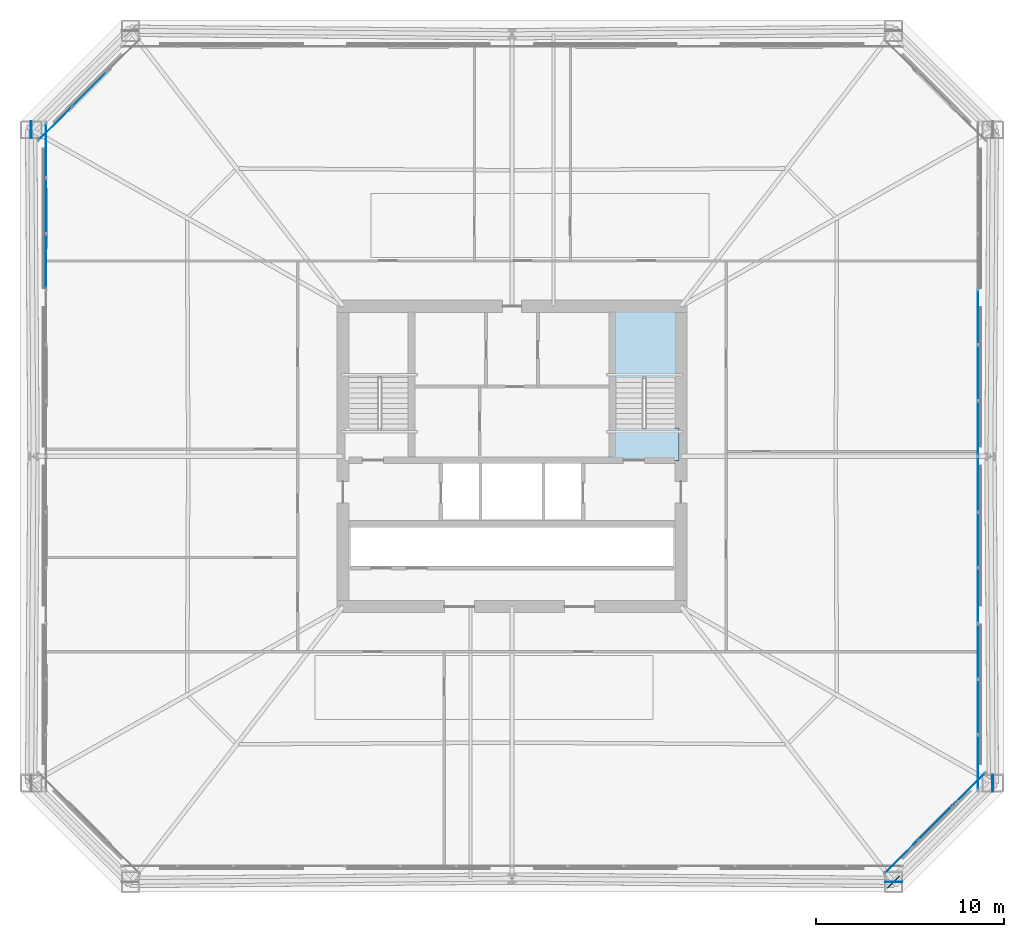
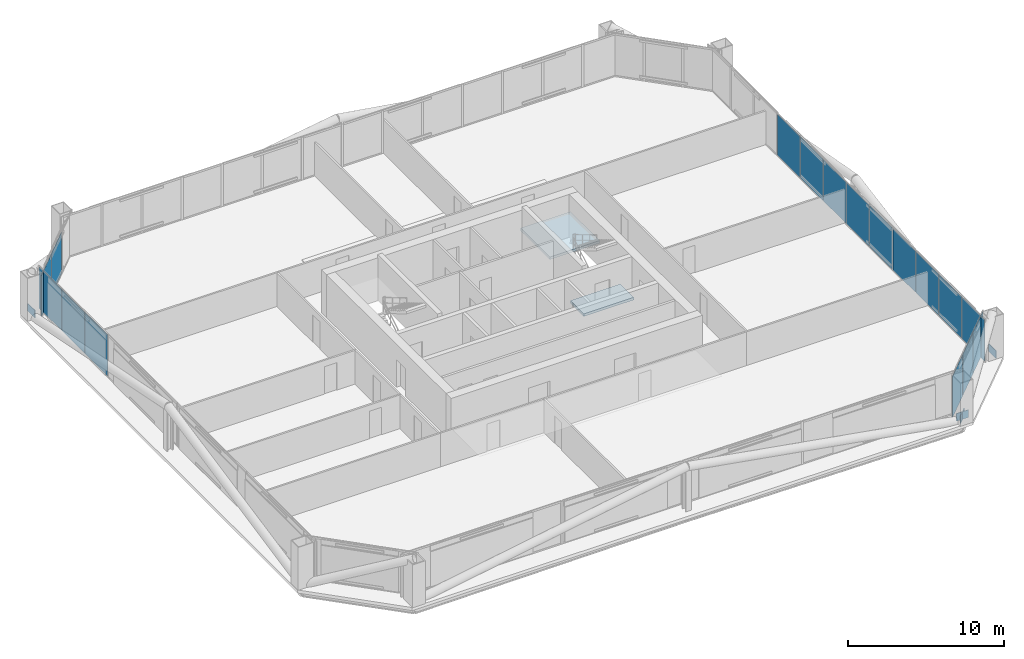
# One storey, part 44 of 50: 21 plates, 2 slabs, 5 elements without a shape of their own.
"""IFC4 building model written with IfcOpenShell, lengths in metres."""

from ifc_helpers import new_model, si_unit, direction, frame, origin, origin_2d, place, context, subcontext, project, spatial, polyline, rectangle, outline, extrude, material, layer, layer_set, type_object, element, aggregate, save


model = new_model("IFC4")

# Units and contexts
model_context = context("Model", 3, precision=1e-05, world=origin(), true_north=direction((0.0, 1.0)))
body_context = subcontext(model_context, "Body", "Model", "MODEL_VIEW")
ifc_project = project(units=[si_unit("LENGTHUNIT", "METRE"), si_unit("AREAUNIT", "SQUARE_METRE"), si_unit("VOLUMEUNIT", "CUBIC_METRE"), si_unit("PLANEANGLEUNIT", "RADIAN"), si_unit("MASSUNIT", "GRAM", prefix="KILO")], contexts=[model_context])

# Site, building, storey
site_placement = place(None, origin())
site = spatial("IfcSite", under=ifc_project, at=site_placement, CompositionType="ELEMENT")
building_placement = place(site_placement, origin())
building = spatial("IfcBuilding", under=site, at=building_placement, Name="Caelvoria Tower", CompositionType="ELEMENT")
storey_placement = place(building_placement, frame((0.0, 0.0, 71.199951171875)))
storey = spatial("IfcBuildingStorey", under=building, at=storey_placement, Name="L18", CompositionType="ELEMENT", Elevation=71.199951171875)

# Curtain wall, plates
ifc_material_1 = material(Name="Anodised Bronze Aluminium and Low-E Glass", Category="aluminium")
ifc_layer_1 = layer(ifc_material_1, 0.18505859375, Name="Anodised Bronze Aluminium and Low-E Glass")
ifc_layer_set_1 = layer_set([ifc_layer_1], Name="CW System 2 Lower Tower Bronze Unitised Facade - Anodised Bronze Aluminium and Low-E Glass")
curtain_wall_type = type_object("IfcCurtainWallType", Name="CW System 2 Lower Tower Bronze Unitised Facade", PredefinedType="NOTDEFINED", material=ifc_layer_set_1)
curtain_wall_1_placement = place(storey_placement, origin())
curtain_wall_1 = element("IfcCurtainWall", 1, at=curtain_wall_1_placement, inside=storey, type_object=curtain_wall_type, Name="CW-02 Curtain Wall L18-E1", PredefinedType="NOTDEFINED")
ifc_material_2 = material(Name="Anodised Bronze Insulated Aluminium Panel", Category="aluminium")
ifc_layer_2 = layer(ifc_material_2, 0.031982421875, Name="Anodised Bronze Insulated Aluminium Panel")
ifc_layer_set_2 = layer_set([ifc_layer_2], Name="Insulated Bronze Spandrel Curtain Panel 32 - Anodised Bronze Insulated Aluminium Panel")
plate_type_1 = type_object("IfcPlateType", Name="Insulated Bronze Spandrel Curtain Panel 32", PredefinedType="CURTAIN_PANEL", material=ifc_layer_set_2)
plate_1_placement = place(storey_placement, frame((66.735595703125, 10.687255859375, 0.06494140625), z_axis=(0.0, 0.0, 1.0), x_axis=(0.707106781187, 0.707106781187, 0.0)))
plate_1 = element("IfcPlate", 2, at=plate_1_placement, type_object=plate_type_1, Name="CW-02 panel 1.1", PredefinedType="CURTAIN_PANEL", context=body_context, shape_type="SweptSolid", body=[
    extrude(rectangle(XDim=2.447998046875, YDim=0.031982421875, at=origin_2d()), origin(), (0.0, 0.0, 1.0), 3.22998046875),
])
plate_2_placement = place(storey_placement, frame((68.524169921875, 12.475830078125, 0.06494140625), z_axis=(0.0, 0.0, 1.0), x_axis=(0.707106781187, 0.707106781187, 0.0)))
plate_2 = element("IfcPlate", 3, at=plate_2_placement, type_object=plate_type_1, Name="CW-02 panel 2.1", PredefinedType="CURTAIN_PANEL", context=body_context, shape_type="SweptSolid", body=[
    extrude(rectangle(XDim=2.48046875, YDim=0.031982421875, at=origin_2d()), origin(), (0.0, 0.0, 1.0), 3.22998046875),
])
plate_3_placement = place(storey_placement, frame((70.312744140625, 14.264404296875, 0.06494140625), z_axis=(0.0, 0.0, 1.0), x_axis=(0.707106781187, 0.707106781187, 0.0)))
plate_3 = element("IfcPlate", 4, at=plate_3_placement, type_object=plate_type_1, Name="CW-02 panel 3.1", PredefinedType="CURTAIN_PANEL", context=body_context, shape_type="SweptSolid", body=[
    extrude(rectangle(XDim=2.447998046875, YDim=0.031982421875, at=origin_2d()), origin(), (0.0, 0.0, 1.0), 3.22998046875),
])
aggregate(curtain_wall_1, [plate_1, plate_2, plate_3])

curtain_wall_2_placement = place(storey_placement, origin())
curtain_wall_2 = element("IfcCurtainWall", 5, at=curtain_wall_2_placement, inside=storey, type_object=curtain_wall_type, Name="CW-02 Curtain Wall L18-E2", PredefinedType="NOTDEFINED")
plate_4_placement = place(storey_placement, frame((70.820068359375, 15.699462890625, 0.06494140625), z_axis=(0.0, 0.0, 1.0), x_axis=(0.0, 1.0, 0.0)))
plate_4 = element("IfcPlate", 6, at=plate_4_placement, type_object=plate_type_1, Name="CW-02 panel 1.1", PredefinedType="CURTAIN_PANEL", context=body_context, shape_type="SweptSolid", body=[
    extrude(rectangle(XDim=2.869140625, YDim=0.031982421875, at=origin_2d()), origin(), (0.0, 0.0, 1.0), 3.22998046875),
])
plate_5_placement = place(storey_placement, frame((70.820068359375, 18.64990234375, 0.06494140625), z_axis=(0.0, 0.0, 1.0), x_axis=(0.0, 1.0, 0.0)))
plate_5 = element("IfcPlate", 7, at=plate_5_placement, type_object=plate_type_1, Name="CW-02 panel 2.1", PredefinedType="CURTAIN_PANEL", context=body_context, shape_type="SweptSolid", body=[
    extrude(rectangle(XDim=2.901611328125, YDim=0.031982421875, at=origin_2d()), origin(), (0.0, 0.0, 1.0), 3.22998046875),
])
plate_6_placement = place(storey_placement, frame((70.820068359375, 21.61669921875, 0.06494140625), z_axis=(0.0, 0.0, 1.0), x_axis=(0.0, 1.0, 0.0)))
plate_6 = element("IfcPlate", 8, at=plate_6_placement, type_object=plate_type_1, Name="CW-02 panel 3.1", PredefinedType="CURTAIN_PANEL", context=body_context, shape_type="SweptSolid", body=[
    extrude(rectangle(XDim=2.901611328125, YDim=0.031982421875, at=origin_2d()), origin(), (0.0, 0.0, 1.0), 3.22998046875),
])
plate_7_placement = place(storey_placement, frame((70.820068359375, 24.583251953125, 0.06494140625), z_axis=(0.0, 0.0, 1.0), x_axis=(0.0, 1.0, 0.0)))
plate_7 = element("IfcPlate", 9, at=plate_7_placement, type_object=plate_type_1, Name="CW-02 panel 4.1", PredefinedType="CURTAIN_PANEL", context=body_context, shape_type="SweptSolid", body=[
    extrude(rectangle(XDim=2.901611328125, YDim=0.031982421875, at=origin_2d()), origin(), (0.0, 0.0, 1.0), 3.22998046875),
])
plate_8_placement = place(storey_placement, frame((70.820068359375, 27.550048828125, 0.06494140625), z_axis=(0.0, 0.0, 1.0), x_axis=(0.0, 1.0, 0.0)))
plate_8 = element("IfcPlate", 10, at=plate_8_placement, type_object=plate_type_1, Name="CW-02 panel 5.1", PredefinedType="CURTAIN_PANEL", context=body_context, shape_type="SweptSolid", body=[
    extrude(rectangle(XDim=2.901611328125, YDim=0.031982421875, at=origin_2d()), origin(), (0.0, 0.0, 1.0), 3.22998046875),
])
plate_9_placement = place(storey_placement, frame((70.820068359375, 30.5166015625, 0.06494140625), z_axis=(0.0, 0.0, 1.0), x_axis=(0.0, 1.0, 0.0)))
plate_9 = element("IfcPlate", 11, at=plate_9_placement, type_object=plate_type_1, Name="CW-02 panel 6.1", PredefinedType="CURTAIN_PANEL", context=body_context, shape_type="SweptSolid", body=[
    extrude(rectangle(XDim=2.901611328125, YDim=0.031982421875, at=origin_2d()), origin(), (0.0, 0.0, 1.0), 3.22998046875),
])
plate_10_placement = place(storey_placement, frame((70.820068359375, 33.4833984375, 0.06494140625), z_axis=(0.0, 0.0, 1.0), x_axis=(0.0, 1.0, 0.0)))
plate_10 = element("IfcPlate", 12, at=plate_10_placement, type_object=plate_type_1, Name="CW-02 panel 7.1", PredefinedType="CURTAIN_PANEL", context=body_context, shape_type="SweptSolid", body=[
    extrude(rectangle(XDim=2.901611328125, YDim=0.031982421875, at=origin_2d()), origin(), (0.0, 0.0, 1.0), 3.22998046875),
])
plate_11_placement = place(storey_placement, frame((70.820068359375, 36.449951171875, 0.06494140625), z_axis=(0.0, 0.0, 1.0), x_axis=(0.0, 1.0, 0.0)))
plate_11 = element("IfcPlate", 13, at=plate_11_placement, type_object=plate_type_1, Name="CW-02 panel 8.1", PredefinedType="CURTAIN_PANEL", context=body_context, shape_type="SweptSolid", body=[
    extrude(rectangle(XDim=2.901611328125, YDim=0.031982421875, at=origin_2d()), origin(), (0.0, 0.0, 1.0), 3.22998046875),
])
plate_12_placement = place(storey_placement, frame((70.820068359375, 39.416748046875, 0.06494140625), z_axis=(0.0, 0.0, 1.0), x_axis=(0.0, 1.0, 0.0)))
plate_12 = element("IfcPlate", 14, at=plate_12_placement, type_object=plate_type_1, Name="CW-02 panel 9.1", PredefinedType="CURTAIN_PANEL", context=body_context, shape_type="SweptSolid", body=[
    extrude(rectangle(XDim=2.901611328125, YDim=0.031982421875, at=origin_2d()), origin(), (0.0, 0.0, 1.0), 3.22998046875),
])
aggregate(curtain_wall_2, [plate_4, plate_5, plate_6, plate_7, plate_8, plate_9, plate_10, plate_11, plate_12])

curtain_wall_3_placement = place(storey_placement, origin())
curtain_wall_3 = element("IfcCurtainWall", 15, at=curtain_wall_3_placement, inside=storey, type_object=curtain_wall_type, Name="CW-02 Curtain Wall L18-E5", PredefinedType="NOTDEFINED")
plate_13_placement = place(storey_placement, frame((23.475830078125, 51.524169921875, 0.06494140625), z_axis=(0.0, 0.0, 1.0), x_axis=(-0.707106781187, -0.707106781187, 0.0)))
plate_13 = element("IfcPlate", 16, at=plate_13_placement, type_object=plate_type_1, Name="CW-02 panel 2.1", PredefinedType="CURTAIN_PANEL", context=body_context, shape_type="SweptSolid", body=[
    extrude(rectangle(XDim=2.48046875, YDim=0.031982421875, at=origin_2d()), origin(), (0.0, 0.0, 1.0), 3.22998046875),
])
plate_14_placement = place(storey_placement, frame((21.687255859375, 49.735595703125, 0.06494140625), z_axis=(0.0, 0.0, 1.0), x_axis=(-0.707106781187, -0.707106781187, 0.0)))
plate_14 = element("IfcPlate", 17, at=plate_14_placement, type_object=plate_type_1, Name="CW-02 panel 3.1", PredefinedType="CURTAIN_PANEL", context=body_context, shape_type="SweptSolid", body=[
    extrude(rectangle(XDim=2.447998046875, YDim=0.031982421875, at=origin_2d()), origin(), (0.0, 0.0, 1.0), 3.22998046875),
])
aggregate(curtain_wall_3, [plate_13, plate_14])

curtain_wall_4_placement = place(storey_placement, origin())
curtain_wall_4 = element("IfcCurtainWall", 18, at=curtain_wall_4_placement, inside=storey, type_object=curtain_wall_type, Name="CW-02 Curtain Wall L18-E6", PredefinedType="NOTDEFINED")
plate_15_placement = place(storey_placement, frame((21.179931640625, 48.300537109375, 0.06494140625), z_axis=(0.0, 0.0, 1.0), x_axis=(0.0, -1.0, 0.0)))
plate_15 = element("IfcPlate", 19, at=plate_15_placement, type_object=plate_type_1, Name="CW-02 panel 1.1", PredefinedType="CURTAIN_PANEL", context=body_context, shape_type="SweptSolid", body=[
    extrude(rectangle(XDim=2.869140625, YDim=0.031982421875, at=origin_2d()), origin(), (0.0, 0.0, 1.0), 3.22998046875),
])
plate_16_placement = place(storey_placement, frame((21.179931640625, 45.35009765625, 0.06494140625), z_axis=(0.0, 0.0, 1.0), x_axis=(0.0, -1.0, 0.0)))
plate_16 = element("IfcPlate", 20, at=plate_16_placement, type_object=plate_type_1, Name="CW-02 panel 2.1", PredefinedType="CURTAIN_PANEL", context=body_context, shape_type="SweptSolid", body=[
    extrude(rectangle(XDim=2.901611328125, YDim=0.031982421875, at=origin_2d()), origin(), (0.0, 0.0, 1.0), 3.22998046875),
])
plate_17_placement = place(storey_placement, frame((21.179931640625, 42.38330078125, 0.06494140625), z_axis=(0.0, 0.0, 1.0), x_axis=(0.0, -1.0, 0.0)))
plate_17 = element("IfcPlate", 21, at=plate_17_placement, type_object=plate_type_1, Name="CW-02 panel 3.1", PredefinedType="CURTAIN_PANEL", context=body_context, shape_type="SweptSolid", body=[
    extrude(rectangle(XDim=2.901611328125, YDim=0.031982421875, at=origin_2d()), origin(), (0.0, 0.0, 1.0), 3.22998046875),
])
aggregate(curtain_wall_4, [plate_15, plate_16, plate_17])

# Plates
ifc_material_3 = material(Name="Structural Steel ASTM A572 Gr.50", Category="steel")
ifc_layer_3 = layer(ifc_material_3, 0.0400390625, Name="Structural Steel ASTM A572 Gr.50")
ifc_layer_set_3 = layer_set([ifc_layer_3], Name="Megaframe Node Gusset Plate 900x600x40 - Structural Steel ASTM A572 Gr.50")
plate_type_2 = type_object("IfcPlateType", Name="Megaframe Node Gusset Plate 900x600x40", PredefinedType="USERDEFINED", material=ifc_layer_set_3)
for number, where, z_axis, x_axis, name in (
    (22, (66.3193359375, 9.336181640625, 0.02001953125), (0.0, 0.0, 1.0), (0.708211700313, 0.706000132819, 0.0), "Chamfer Mega Brace Gusset L18 SE"),
    (23, (66.3193359375, 9.336181640625, 0.050048828125), (0.0, 0.0, 1.0), (-0.999959053263, 0.009049408655, 0.0), "Megaframe Node Gusset Plate ND-01"),
    (24, (71.6044921875, 14.6044921875, 0.050048828125), (0.0, 0.0, 1.0), (-0.007150553009, 0.999974434469, 0.0), "Megaframe Node Gusset Plate ND-01"),
    (25, (20.3955078125, 49.3955078125, 0.050048828125), (0.0, 0.0, 1.0), (0.007150553009, -0.999974434469, 0.0), "Megaframe Node Gusset Plate ND-01"),
):
    element("IfcPlate", number, at=place(storey_placement, frame(where, z_axis=z_axis, x_axis=x_axis)), inside=storey, type_object=plate_type_2, Name=name, ObjectType="GUSSET_PLATE", PredefinedType="USERDEFINED", context=body_context, shape_type="SweptSolid", body=[
        extrude(rectangle(XDim=0.89990234375, YDim=0.0400390625, at=origin_2d()), origin(), (0.0, 0.0, 1.0), 0.60009765625),
    ])

# Stair, slabs
ifc_material_4 = material(Name="Concrete C40/50", Category="concrete")
stair_type = type_object("IfcStairType", Name="Core Smokeproof Dogleg Stair Concrete C40/50", PredefinedType="HALF_TURN_STAIR", material=ifc_material_4)
stair_placement = place(storey_placement, origin())
stair = element("IfcStair", 26, at=stair_placement, inside=storey, type_object=stair_type, Name="ST-02 Smokeproof Exit Stair L18", PredefinedType="HALF_TURN_STAIR")
ifc_layer_4 = layer(ifc_material_4, 0.199951171875, Name="Concrete C40/50")
ifc_layer_set_4 = layer_set([ifc_layer_4], Name="Stair Half and Floor Landing Slab 200 Concrete C40/50 - Concrete C40/50")
slab_type = type_object("IfcSlabType", Name="Stair Half and Floor Landing Slab 200 Concrete C40/50", PredefinedType="LANDING", material=ifc_layer_set_4)
slab_1_placement = place(storey_placement, frame((0.0, 0.0, -0.199951171875)))
slab_1 = element("IfcSlab", 27, at=slab_1_placement, type_object=slab_type, Name="ST-02 landing 1", PredefinedType="LANDING", context=body_context, shape_type="SweptSolid", body=[
    extrude(outline(polyline([(51.199951171875, 31.77001953125), (54.89990234375, 31.77001953125), (54.89990234375, 33.5), (51.199951171875, 33.5), (51.199951171875, 31.77001953125)])), origin(), (0.0, 0.0, 1.0), 0.199951171875),
])
slab_2_placement = place(storey_placement, frame((0.0, 0.0, 1.60009765625)))
slab_2 = element("IfcSlab", 28, at=slab_2_placement, type_object=slab_type, Name="ST-02 landing 2", PredefinedType="LANDING", context=body_context, shape_type="SweptSolid", body=[
    extrude(outline(polyline([(51.199951171875, 36.14990234375), (54.89990234375, 36.14990234375), (54.89990234375, 39.89990234375), (51.199951171875, 39.89990234375), (51.199951171875, 36.14990234375)])), origin(), (0.0, 0.0, 1.0), 0.199951171875),
])
aggregate(stair, [slab_1, slab_2])

save(model, "model.ifc")
